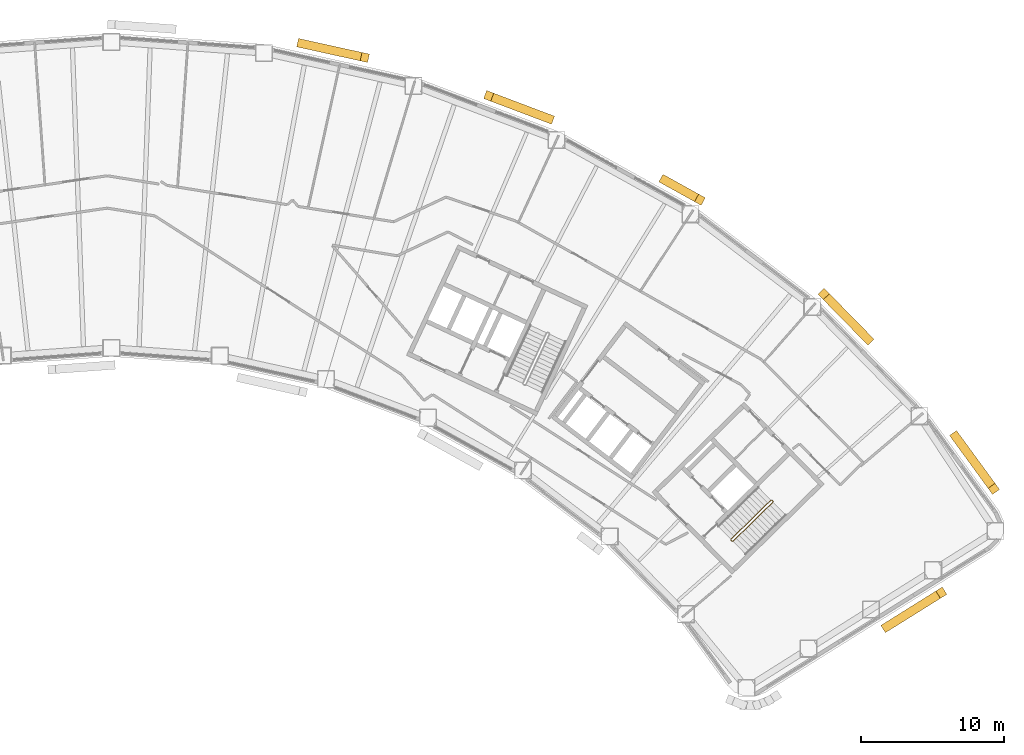
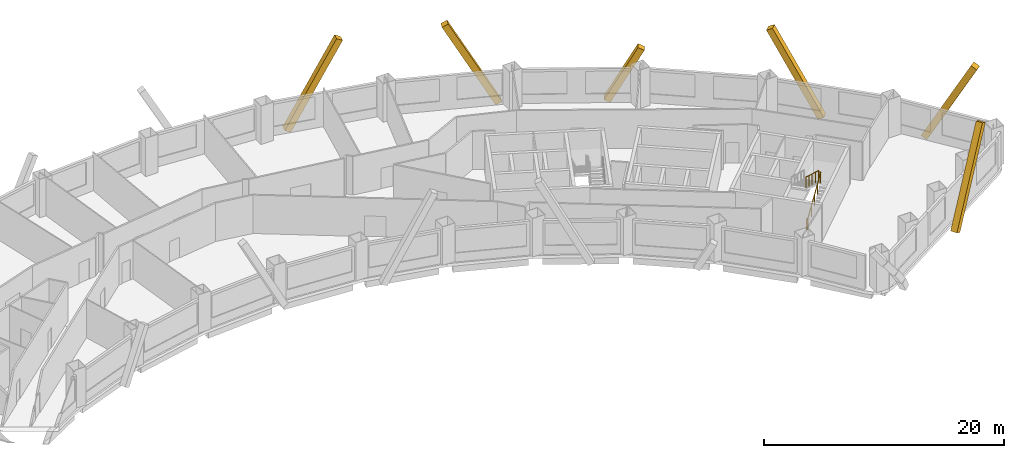
# One storey, part 12 of 12: 6 coverings, 1 railing.
"""IFC4 building model written with IfcOpenShell, lengths in metres."""

import ifcopenshell
import ifcopenshell.guid

model = None  # the IFC model being written
_history = None  # IfcOwnerHistory: only IFC2X3 demands one
_inside = {}  # id of a spatial element -> (the spatial element, [elements in it])
_under = {}  # id of a project, library or spatial element -> (it, [spatial elements below it])
_declared = {}  # id of a project -> (the project, [libraries it declares])
_typed = {}  # id of a type object -> (the type object, [elements of that type])
_made_of = {}  # id of a material, layer set ... -> (it, [elements and type objects made of it])


def new_model(schema):
    """Start an empty IFC model of exactly this schema.

    Asked for "IFC4X3", IfcOpenShell would pick the latest addendum, in which some entities
    have other attributes; the version numbers below select the first issue.
    IFC2X3 requires an IfcOwnerHistory on every rooted entity: one is made here for all.
    """
    global model, _history
    if schema == "IFC4X3":
        model = ifcopenshell.file(schema_version=(4, 3, 0, 0))
    else:
        model = ifcopenshell.file(schema=schema)
    _inside.clear()
    _under.clear()
    _declared.clear()
    _typed.clear()
    _made_of.clear()
    _history = None
    if model.schema == "IFC2X3":
        org = make("IfcOrganization", Name="unknown")
        user = make(
            "IfcPersonAndOrganization",
            ThePerson=make("IfcPerson", FamilyName="unknown"),
            TheOrganization=org,
        )
        app = make(
            "IfcApplication",
            ApplicationDeveloper=org,
            Version="unknown",
            ApplicationFullName="unknown",
            ApplicationIdentifier="unknown",
        )
        _history = make(
            "IfcOwnerHistory",
            OwningUser=user,
            OwningApplication=app,
            ChangeAction="ADDED",
            CreationDate=0,
        )
    return model


def make(cls, **values):
    """One entity of the class cls with the attributes given. An attribute that is None is left unset."""
    return model.create_entity(
        cls, **{name: value for name, value in values.items() if value is not None}
    )


def rooted(cls, **values):
    """An entity with a GlobalId (a new one), such as an element, a storey or a relation."""
    return make(cls, GlobalId=ifcopenshell.guid.new(), OwnerHistory=_history, **values)


def si_unit(unit_type, name, prefix=None):
    """IfcSIUnit, for example si_unit("LENGTHUNIT", "METRE", prefix="MILLI")."""
    return make("IfcSIUnit", UnitType=unit_type, Prefix=prefix, Name=name)


def assignment(units):
    """IfcUnitAssignment: the units of a project."""
    return None if units is None else make("IfcUnitAssignment", Units=units)


def point(xyz):
    """IfcCartesianPoint."""
    return None if xyz is None else make("IfcCartesianPoint", Coordinates=xyz)


def direction(xyz):
    """IfcDirection."""
    return None if xyz is None else make("IfcDirection", DirectionRatios=xyz)


def frame(location, z_axis=None, x_axis=None):
    """IfcAxis2Placement3D, a coordinate frame: its origin and axes. An axis left out is left unset."""
    return make(
        "IfcAxis2Placement3D",
        Location=point(location),
        Axis=direction(z_axis),
        RefDirection=direction(x_axis),
    )


def frame_2d(location, x_axis=None):
    """IfcAxis2Placement2D, a coordinate frame in the plane: its origin and x axis."""
    return make(
        "IfcAxis2Placement2D", Location=point(location), RefDirection=direction(x_axis)
    )


def origin():
    """The frame at (0, 0, 0) with its axes left unset."""
    return frame((0.0, 0.0, 0.0))


def origin_2d():
    """The frame at (0, 0) in the plane with its x axis left unset."""
    return frame_2d((0.0, 0.0))


def place(relative_to, where):
    """IfcLocalPlacement: puts the frame where relative to a parent placement (None: the world)."""
    return make(
        "IfcLocalPlacement", PlacementRelTo=relative_to, RelativePlacement=where
    )


def context(
    kind, dimensions, precision=None, world=None, true_north=None, identifier=None
):
    """IfcGeometricRepresentationContext, for example the 3D "Model" context."""
    return make(
        "IfcGeometricRepresentationContext",
        ContextIdentifier=identifier,
        ContextType=kind,
        CoordinateSpaceDimension=dimensions,
        Precision=precision,
        WorldCoordinateSystem=world,
        TrueNorth=true_north,
    )


def subcontext(parent, identifier, kind, view, scale=None):
    """IfcGeometricRepresentationSubContext, for example "Body" below "Model"."""
    return make(
        "IfcGeometricRepresentationSubContext",
        ContextIdentifier=identifier,
        ContextType=kind,
        ParentContext=parent,
        TargetScale=scale,
        TargetView=view,
    )


def project(units=None, contexts=None):
    """IfcProject with its units and contexts."""
    return rooted(
        "IfcProject",
        Name="project",
        RepresentationContexts=contexts,
        UnitsInContext=assignment(units),
    )


def spatial(cls, under=None, at=None, **own):
    """A site, building, storey or space (cls), placed at a placement, below another one or the project."""
    s = rooted(cls, ObjectPlacement=at, **own)
    if under is not None:
        _under.setdefault(under.id(), (under, []))[1].append(s)
    return s


def profile(cls, at=None, kind="AREA", **sizes):
    """A parametric profile (cls). Its sizes go by their IFC names, for example OverallWidth=200.0."""
    return make(cls, ProfileType=kind, Position=at, **sizes)


def rectangle(**sizes):
    """IfcRectangleProfileDef."""
    return profile("IfcRectangleProfileDef", **sizes)


def circle(**sizes):
    """IfcCircleProfileDef."""
    return profile("IfcCircleProfileDef", **sizes)


def extrude(swept, where, along, depth):
    """IfcExtrudedAreaSolid: the profile swept, set in the frame where, extruded along a direction by depth."""
    return make(
        "IfcExtrudedAreaSolid",
        SweptArea=swept,
        Position=where,
        ExtrudedDirection=direction(along),
        Depth=depth,
    )


def shape(context_of_items, identifier, shape_type, items):
    """IfcShapeRepresentation: the items that make up one representation, for example the "Body"."""
    return make(
        "IfcShapeRepresentation",
        ContextOfItems=context_of_items,
        RepresentationIdentifier=identifier,
        RepresentationType=shape_type,
        Items=items,
    )


def material(Name=None, Category=None):
    """IfcMaterial."""
    return make("IfcMaterial", Name=Name, Category=Category)


def material_profile(
    of_material, cross_section, Name=None, Category=None, Priority=None
):
    """IfcMaterialProfile: a cross section and its material."""
    return make(
        "IfcMaterialProfile",
        Name=Name,
        Material=of_material,
        Profile=cross_section,
        Priority=Priority,
        Category=Category,
    )


def profile_set(profiles, Name=None, composite=None):
    """IfcMaterialProfileSet."""
    return make(
        "IfcMaterialProfileSet",
        Name=Name,
        MaterialProfiles=profiles,
        CompositeProfile=composite,
    )


def made_of(thing, what):
    """Note that an element or type object is made of a material, layer set ...; save() writes the relation."""
    if what is not None:
        _made_of.setdefault(what.id(), (what, []))[1].append(thing)
    return thing


def type_object(cls, material=None, **own):
    """A type object (cls), such as IfcWallType, which elements share."""
    return made_of(rooted(cls, **own), material)


def element(
    cls,
    number,
    at=None,
    inside=None,
    cuts=None,
    type_object=None,
    material=None,
    context=None,
    identifier="Body",
    shape_type=None,
    held_by="IfcProductDefinitionShape",
    body=None,
    shapes=None,
    **own,
):
    """One element of the class cls, such as IfcWall. Its Tag is "e" and its number.

    at: its placement. inside: the storey or other place that contains it. cuts: it is an
    opening in that element (IfcRelVoidsElement). A single representation is given by context,
    identifier, shape_type and body (its items); several are given by shapes. held_by: the class
    of the entity that holds the representations. save() writes the other relations.
    """
    e = rooted(cls, Tag="e%d" % number, ObjectPlacement=at, **own)
    if body is not None:
        shapes = [shape(context, identifier, shape_type, body)]
    if shapes is not None:
        e.Representation = make(held_by, Representations=shapes)
    if inside is not None:
        _inside.setdefault(inside.id(), (inside, []))[1].append(e)
    if cuts is not None:
        rooted(
            "IfcRelVoidsElement", RelatingBuildingElement=cuts, RelatedOpeningElement=e
        )
    if type_object is not None:
        _typed.setdefault(type_object.id(), (type_object, []))[1].append(e)
    return made_of(e, material)


def aggregate(whole, parts):
    """IfcRelAggregates: a whole, such as a stair, and the parts it consists of."""
    return rooted("IfcRelAggregates", RelatingObject=whole, RelatedObjects=parts)


def save(model, path):
    """Write the relations noted so far, then the file.

    IfcRelAggregates (storeys below a building ...), IfcRelContainedInSpatialStructure (elements
    in a storey), IfcRelDefinesByType, IfcRelAssociatesMaterial and IfcRelDeclares: one each for
    every whole, place, type object, material and project.
    """
    for whole, parts in _under.values():
        aggregate(whole, parts)
    for where, things in _inside.values():
        rooted(
            "IfcRelContainedInSpatialStructure",
            RelatedElements=things,
            RelatingStructure=where,
        )
    for kind, things in _typed.values():
        rooted("IfcRelDefinesByType", RelatedObjects=things, RelatingType=kind)
    for what, things in _made_of.values():
        rooted("IfcRelAssociatesMaterial", RelatedObjects=things, RelatingMaterial=what)
    for by, libraries in _declared.values():
        rooted("IfcRelDeclares", RelatingContext=by, RelatedDefinitions=libraries)
    model.write(path)


model = new_model("IFC4")

# Units and contexts
model_context = context("Model", 3, precision=1e-05, world=origin(), true_north=direction((0.0, 1.0)))
body_context = subcontext(model_context, "Body", "Model", "MODEL_VIEW")
ifc_project = project(units=[si_unit("LENGTHUNIT", "METRE"), si_unit("AREAUNIT", "SQUARE_METRE"), si_unit("VOLUMEUNIT", "CUBIC_METRE"), si_unit("PLANEANGLEUNIT", "RADIAN"), si_unit("MASSUNIT", "GRAM", prefix="KILO")], contexts=[model_context])

# Site, building, storey
site_placement = place(None, origin())
site = spatial("IfcSite", under=ifc_project, at=site_placement, CompositionType="ELEMENT")
building_placement = place(site_placement, origin())
building = spatial("IfcBuilding", under=site, at=building_placement, Name="Tuul Gate Civic Tower", CompositionType="ELEMENT")
storey_placement = place(building_placement, frame((0.0, 0.0, 82.199951171875)))
storey = spatial("IfcBuildingStorey", under=building, at=storey_placement, Name="Level 18", CompositionType="ELEMENT", Elevation=82.199951171875)

# Railing
ifc_material_1 = material(Name="Painted steel", Category="steel")
railing_type = type_object("IfcRailingType", Name="Stair guard", PredefinedType="GUARDRAIL", material=ifc_material_1)
railing_placement = place(storey_placement, frame((48.10546875, -16.134765625, 0.0)))
element("IfcRailing", 1, at=railing_placement, inside=storey, type_object=railing_type, Name="Level 18 ST-3 stair guard 1", PredefinedType="GUARDRAIL", context=body_context, shape_type="SweptSolid", body=[
    extrude(circle(Radius=0.02392578125, at=origin_2d()), frame((0.0, 0.0, 1.076171875), z_axis=(-0.698506948293, 0.715603272202, 0.0), x_axis=(-0.715603272202, -0.698506948293, 0.0)), (0.0, 0.0, 1.0), 0.099853515625),
    extrude(circle(Radius=0.02392578125, at=origin_2d()), frame((-0.06982421875, 0.071533203125, 1.076171875), z_axis=(0.644948864628, -0.331432055434, 0.688617277337), x_axis=(0.457068866502, 0.889431307788, 0.0)), (0.0, 0.0, 1.0), 0.218017578125),
    extrude(circle(Radius=0.02392578125, at=origin_2d()), frame((0.07080078125, -0.000732421875, 1.22607421875), z_axis=(0.638731261263, 0.626133563701, 0.447190268558), x_axis=(-0.700029477518, 0.714113947914, 0.0)), (0.0, 0.0, 1.0), 4.3603515625),
    extrude(circle(Radius=0.02392578125, at=origin_2d()), frame((2.85595703125, 2.7294921875, 3.17626953125), z_axis=(0.010380063588, 0.999946125689, 0.0), x_axis=(-0.999946125689, 0.010380063588, 0.0)), (0.0, 0.0, 1.0), 0.070556640625),
    extrude(circle(Radius=0.02392578125, at=origin_2d()), frame((2.856689453125, 2.800048828125, 3.17626953125), z_axis=(-0.699754442181, 0.714383454909, 0.0), x_axis=(-0.714383454909, -0.699754442181, 0.0)), (0.0, 0.0, 1.0), 0.10009765625),
    extrude(circle(Radius=0.02392578125, at=origin_2d()), frame((2.78662109375, 2.87158203125, 3.17626953125), z_axis=(-0.427069033481, 0.004417955519, 0.904208229508), x_axis=(-0.010344274102, -0.999946496565, 0.0)), (0.0, 0.0, 1.0), 0.165771484375),
    extrude(circle(Radius=0.02392578125, at=origin_2d()), frame((2.7158203125, 2.872314453125, 3.326171875), z_axis=(-0.638731261263, -0.626133563701, 0.447190268558), x_axis=(0.700029477518, -0.714113947914, 0.0)), (0.0, 0.0, 1.0), 4.3603515625),
    extrude(circle(Radius=0.02099609375, at=origin_2d()), origin(), (0.0, 0.0, 1.0), 1.052001953125),
    extrude(circle(Radius=0.02099609375, at=origin_2d()), frame((-0.06982421875, 0.071533203125, 0.0)), (0.0, 0.0, 1.0), 1.052001953125),
    extrude(circle(Radius=0.02099609375, at=origin_2d()), frame((0.07080078125, -0.000732421875, 0.150146484375)), (0.0, 0.0, 1.0), 1.052001953125),
    extrude(circle(Radius=0.02099609375, at=origin_2d()), frame((0.76708984375, 0.681884765625, 0.6376953125)), (0.0, 0.0, 1.0), 1.052001953125),
    extrude(circle(Radius=0.02099609375, at=origin_2d()), frame((1.46337890625, 1.3642578125, 1.125)), (0.0, 0.0, 1.0), 1.052001953125),
    extrude(circle(Radius=0.02099609375, at=origin_2d()), frame((2.15966796875, 2.046875, 1.612548828125)), (0.0, 0.0, 1.0), 1.052001953125),
    extrude(circle(Radius=0.02099609375, at=origin_2d()), frame((2.85595703125, 2.7294921875, 2.10009765625)), (0.0, 0.0, 1.0), 1.052001953125),
    extrude(circle(Radius=0.02099609375, at=origin_2d()), frame((2.856689453125, 2.800048828125, 2.10009765625)), (0.0, 0.0, 1.0), 1.052001953125),
    extrude(circle(Radius=0.02099609375, at=origin_2d()), frame((2.78662109375, 2.87158203125, 2.10009765625)), (0.0, 0.0, 1.0), 1.052001953125),
    extrude(circle(Radius=0.02099609375, at=origin_2d()), frame((2.7158203125, 2.872314453125, 2.25)), (0.0, 0.0, 1.0), 1.052001953125),
    extrude(circle(Radius=0.02099609375, at=origin_2d()), frame((2.01953125, 2.189697265625, 2.737548828125)), (0.0, 0.0, 1.0), 1.052001953125),
    extrude(circle(Radius=0.02099609375, at=origin_2d()), frame((1.3232421875, 1.50732421875, 3.22509765625)), (0.0, 0.0, 1.0), 1.052001953125),
    extrude(circle(Radius=0.02099609375, at=origin_2d()), frame((0.626953125, 0.82470703125, 3.71240234375)), (0.0, 0.0, 1.0), 1.052001953125),
    extrude(circle(Radius=0.02099609375, at=origin_2d()), frame((-0.0693359375, 0.14208984375, 4.199951171875)), (0.0, 0.0, 1.0), 1.052001953125),
])

# Coverings
ifc_material_2 = material(Name="Terracotta baguette", Category="masonry")
ifc_material_profile = material_profile(ifc_material_2, rectangle(XDim=0.60009765625, YDim=0.60009765625, at=origin_2d()), Name="Terracotta baguette screen frame")
ifc_profile_set = profile_set([ifc_material_profile], Name="Terracotta baguette")
covering_type = type_object("IfcCoveringType", Name="Terracotta baguette screen frame", PredefinedType="CLADDING", material=ifc_profile_set)
covering_1_placement = place(storey_placement, frame((58.87060546875, -22.117431640625, -0.349853515625), z_axis=(0.402293025591, 0.251385166726, 0.880321429656), x_axis=(-0.529926214669, 0.848043753002, 0.0)))
element("IfcCovering", 2, at=covering_1_placement, inside=storey, type_object=covering_type, Name="Baguette 2", PredefinedType="CLADDING", context=body_context, shape_type="SweptSolid", body=[
    extrude(rectangle(XDim=0.60009765625, YDim=0.60009765625, at=origin_2d()), origin(), (0.0, 0.0, 1.0), 9.541748046875),
])
covering_2_placement = place(storey_placement, frame((66.368408203125, -12.477783203125, 8.050048828125), z_axis=(-0.281370554037, 0.385233710888, -0.878877465473), x_axis=(-0.807537279361, -0.589816532866, 0.0)))
element("IfcCovering", 3, at=covering_2_placement, inside=storey, type_object=covering_type, Name="Baguette 19", PredefinedType="CLADDING", context=body_context, shape_type="SweptSolid", body=[
    extrude(rectangle(XDim=0.60009765625, YDim=0.60009765625, at=origin_2d()), origin(), (0.0, 0.0, 1.0), 9.5576171875),
])
covering_3_placement = place(storey_placement, frame((54.501708984375, 1.117919921875, 7.8828125), z_axis=(0.332638374067, -0.339318278661, -0.879894776587), x_axis=(0.714100828426, 0.700042860718, 0.0)))
element("IfcCovering", 4, at=covering_3_placement, inside=storey, type_object=covering_type, Name="Baguette 35", PredefinedType="CLADDING", context=body_context, shape_type="SweptSolid", body=[
    extrude(rectangle(XDim=0.60009765625, YDim=0.60009765625, at=origin_2d()), origin(), (0.0, 0.0, 1.0), 9.3564453125),
])
covering_4_placement = place(storey_placement, frame((45.8681640625, 7.691650390625, 4.923095703125), z_axis=(-0.415584676534, 0.230382447388, -0.879893916654), x_axis=(-0.484841977451, -0.874601770465, 0.0)))
element("IfcCovering", 5, at=covering_4_placement, inside=storey, type_object=covering_type, Name="Baguette 42", PredefinedType="CLADDING", context=body_context, shape_type="SweptSolid", body=[
    extrude(rectangle(XDim=0.60009765625, YDim=0.60009765625, at=origin_2d()), origin(), (0.0, 0.0, 1.0), 5.99267578125),
])
covering_5_placement = place(storey_placement, frame((31.135009765625, 14.935302734375, 8.050048828125), z_axis=(0.444426574599, -0.168098508162, -0.879902216922), x_axis=(0.353776298619, 0.935330065023, 0.0)))
element("IfcCovering", 6, at=covering_5_placement, inside=storey, type_object=covering_type, Name="Baguette 56", PredefinedType="CLADDING", context=body_context, shape_type="SweptSolid", body=[
    extrude(rectangle(XDim=0.60009765625, YDim=0.60009765625, at=origin_2d()), origin(), (0.0, 0.0, 1.0), 9.54638671875),
])
covering_6_placement = place(storey_placement, frame((22.4912109375, 17.6142578125, 8.050048828125), z_axis=(-0.464036772307, 0.102269663955, -0.879892487627), x_axis=(-0.215226248943, -0.976564212823, 0.0)))
element("IfcCovering", 7, at=covering_6_placement, inside=storey, type_object=covering_type, Name="Baguette 61", PredefinedType="CLADDING", context=body_context, shape_type="SweptSolid", body=[
    extrude(rectangle(XDim=0.60009765625, YDim=0.60009765625, at=origin_2d()), origin(), (0.0, 0.0, 1.0), 9.546630859375),
])

save(model, "model.ifc")
